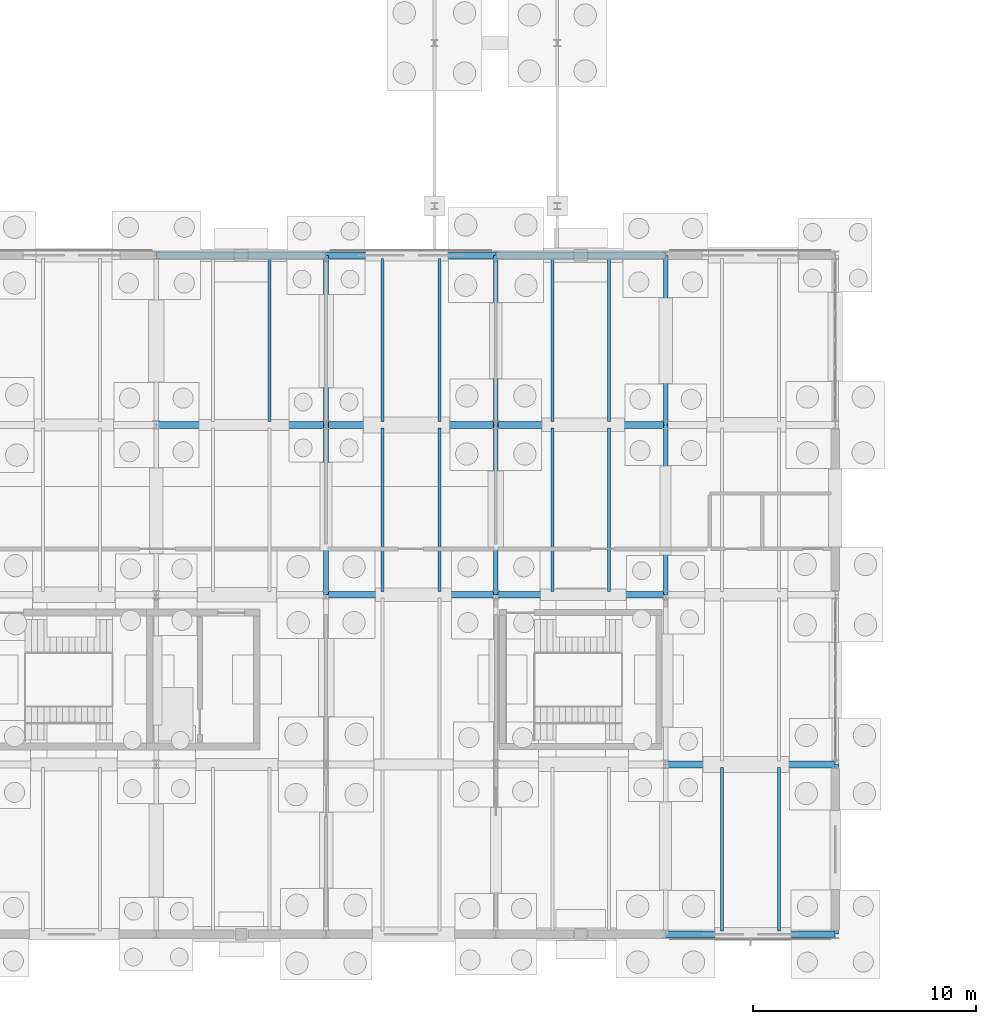
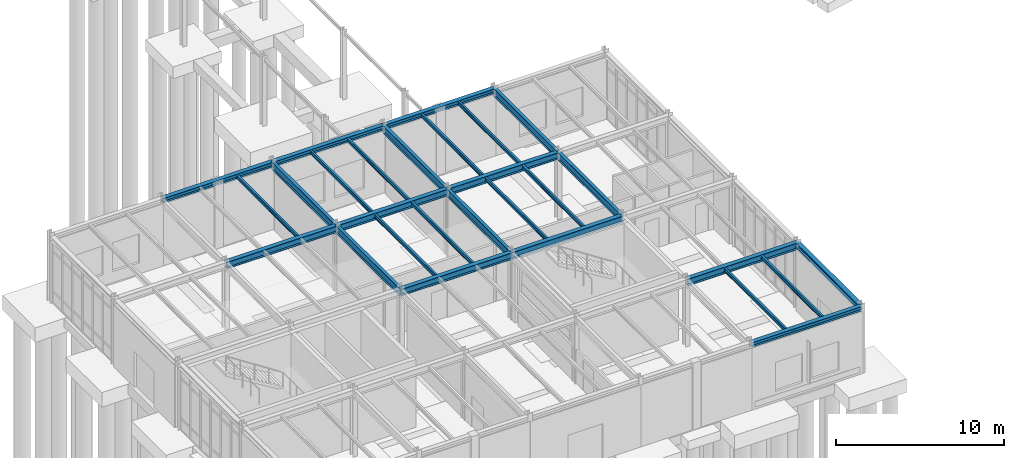
# One storey, part 33 of 109: 28 beams.
"""IFC4 building model written with IfcOpenShell, lengths in metres."""

from ifc_helpers import new_model, si_unit, direction, frame, origin, origin_2d, place, context, subcontext, project, spatial, i_section, extrude, material, material_profile, profile_set, type_object, element, save


model = new_model("IFC4")

# Units and contexts
model_context = context("Model", 3, precision=1e-05, world=origin(), true_north=direction((0.0, 1.0)))
body_context = subcontext(model_context, "Body", "Model", "MODEL_VIEW")
ifc_project = project(units=[si_unit("LENGTHUNIT", "METRE"), si_unit("AREAUNIT", "SQUARE_METRE"), si_unit("VOLUMEUNIT", "CUBIC_METRE"), si_unit("PLANEANGLEUNIT", "RADIAN"), si_unit("MASSUNIT", "GRAM", prefix="KILO")], contexts=[model_context])

# Site, building, storey
site_placement = place(None, origin())
site = spatial("IfcSite", under=ifc_project, at=site_placement, CompositionType="ELEMENT")
building_placement = place(site_placement, origin())
building = spatial("IfcBuilding", under=site, at=building_placement, Name="Montecoro Central Library", CompositionType="ELEMENT")
storey_placement = place(building_placement, origin())
storey = spatial("IfcBuildingStorey", under=building, at=storey_placement, Name="L00", CompositionType="ELEMENT", Elevation=0.0)

# Beams
ifc_material_1 = material(Name="Steel S355J2", Category="steel")
ifc_material_profile_1 = material_profile(ifc_material_1, i_section(OverallWidth=0.300048828125, OverallDepth=0.489990234375, WebThickness=0.011962890625, FlangeThickness=0.02294921875, at=origin_2d()), Name="HEA 500")
ifc_profile_set_1 = profile_set([ifc_material_profile_1], Name="Steel S355J2")
beam_type_1 = type_object("IfcBeamType", Name="BM-G-HEA500", PredefinedType="USERDEFINED", material=ifc_profile_set_1)
beam_1_placement = place(storey_placement, frame((35.405029296875, 12.60009765625, 4.60009765625), z_axis=(1.0, 0.0, 0.0), x_axis=(0.0, 1.0, 0.0)))
element("IfcBeam", 1, at=beam_1_placement, inside=storey, type_object=beam_type_1, Name="V3-L00-BX-56-B", ObjectType="GIRDER", PredefinedType="USERDEFINED", context=body_context, shape_type="SweptSolid", body=[
    extrude(i_section(OverallWidth=0.300048828125, OverallDepth=0.489990234375, WebThickness=0.011962890625, FlangeThickness=0.02294921875, at=origin_2d()), origin(), (0.0, 0.0, 1.0), 7.590087890625),
])
beam_2_placement = place(storey_placement, frame((20.205078125, 20.199951171875, 4.60009765625), z_axis=(1.0, 0.0, 0.0), x_axis=(0.0, 1.0, 0.0)))
element("IfcBeam", 2, at=beam_2_placement, inside=storey, type_object=beam_type_1, Name="V3-L00-BX-34-C", ObjectType="GIRDER", PredefinedType="USERDEFINED", context=body_context, shape_type="SweptSolid", body=[
    extrude(i_section(OverallWidth=0.300048828125, OverallDepth=0.489990234375, WebThickness=0.011962890625, FlangeThickness=0.02294921875, at=origin_2d()), origin(), (0.0, 0.0, 1.0), 7.58984375),
])
for number, where, z_axis, x_axis, name in (
    (3, (27.804931640625, 20.199951171875, 4.60009765625), (1.0, 0.0, 0.0), (0.0, 1.0, 0.0), "V3-L00-BX-45-C"),
    (4, (12.60498046875, 27.800048828125, 4.60009765625), (1.0, 0.0, 0.0), (0.0, 1.0, 0.0), "V3-L00-BX-23-D"),
):
    element("IfcBeam", number, at=place(storey_placement, frame(where, z_axis=z_axis, x_axis=x_axis)), inside=storey, type_object=beam_type_1, Name=name, ObjectType="GIRDER", PredefinedType="USERDEFINED", context=body_context, shape_type="SweptSolid", body=[
        extrude(i_section(OverallWidth=0.300048828125, OverallDepth=0.489990234375, WebThickness=0.011962890625, FlangeThickness=0.02294921875, at=origin_2d()), origin(), (0.0, 0.0, 1.0), 7.590087890625),
    ])
beam_3_placement = place(storey_placement, frame((20.205078125, 27.800048828125, 4.60009765625), z_axis=(1.0, 0.0, 0.0), x_axis=(0.0, 1.0, 0.0)))
element("IfcBeam", 5, at=beam_3_placement, inside=storey, type_object=beam_type_1, Name="V3-L00-BX-34-D", ObjectType="GIRDER", PredefinedType="USERDEFINED", context=body_context, shape_type="SweptSolid", body=[
    extrude(i_section(OverallWidth=0.300048828125, OverallDepth=0.489990234375, WebThickness=0.011962890625, FlangeThickness=0.02294921875, at=origin_2d()), origin(), (0.0, 0.0, 1.0), 7.58984375),
])
beam_4_placement = place(storey_placement, frame((27.804931640625, 27.800048828125, 4.60009765625), z_axis=(1.0, 0.0, 0.0), x_axis=(0.0, 1.0, 0.0)))
element("IfcBeam", 6, at=beam_4_placement, inside=storey, type_object=beam_type_1, Name="V3-L00-BX-45-D", ObjectType="GIRDER", PredefinedType="USERDEFINED", context=body_context, shape_type="SweptSolid", body=[
    extrude(i_section(OverallWidth=0.300048828125, OverallDepth=0.489990234375, WebThickness=0.011962890625, FlangeThickness=0.02294921875, at=origin_2d()), origin(), (0.0, 0.0, 1.0), 7.590087890625),
])
ifc_material_profile_2 = material_profile(ifc_material_1, i_section(OverallWidth=0.2099609375, OverallDepth=0.550048828125, WebThickness=0.010986328125, FlangeThickness=0.01708984375, at=origin_2d()), Name="IPE 550")
ifc_profile_set_2 = profile_set([ifc_material_profile_2], Name="Steel S355J2")
beam_type_2 = type_object("IfcBeamType", Name="BM-G-IPE550", PredefinedType="USERDEFINED", material=ifc_profile_set_2)
beam_5_placement = place(storey_placement, frame((20.199951171875, 20.205078125, 4.570068359375), z_axis=(0.0, 1.0, 0.0), x_axis=(-1.0, 0.0, 0.0)))
element("IfcBeam", 7, at=beam_5_placement, inside=storey, type_object=beam_type_2, Name="V3-L00-BY-3-CD", ObjectType="GIRDER", PredefinedType="USERDEFINED", context=body_context, shape_type="SweptSolid", body=[
    extrude(i_section(OverallWidth=0.2099609375, OverallDepth=0.550048828125, WebThickness=0.010986328125, FlangeThickness=0.01708984375, at=origin_2d()), origin(), (0.0, 0.0, 1.0), 7.58984375),
])
beam_6_placement = place(storey_placement, frame((20.199951171875, 27.804931640625, 4.570068359375), z_axis=(0.0, 1.0, 0.0), x_axis=(-1.0, 0.0, 0.0)))
element("IfcBeam", 8, at=beam_6_placement, inside=storey, type_object=beam_type_2, Name="V3-L00-BY-3-DE", ObjectType="GIRDER", PredefinedType="USERDEFINED", context=body_context, shape_type="SweptSolid", body=[
    extrude(i_section(OverallWidth=0.2099609375, OverallDepth=0.550048828125, WebThickness=0.010986328125, FlangeThickness=0.01708984375, at=origin_2d()), origin(), (0.0, 0.0, 1.0), 7.590087890625),
])
beam_7_placement = place(storey_placement, frame((27.800048828125, 20.205078125, 4.570068359375), z_axis=(0.0, 1.0, 0.0), x_axis=(-1.0, 0.0, 0.0)))
element("IfcBeam", 9, at=beam_7_placement, inside=storey, type_object=beam_type_2, Name="V3-L00-BY-4-CD", ObjectType="GIRDER", PredefinedType="USERDEFINED", context=body_context, shape_type="SweptSolid", body=[
    extrude(i_section(OverallWidth=0.2099609375, OverallDepth=0.550048828125, WebThickness=0.010986328125, FlangeThickness=0.01708984375, at=origin_2d()), origin(), (0.0, 0.0, 1.0), 7.58984375),
])
beam_8_placement = place(storey_placement, frame((27.800048828125, 27.804931640625, 4.570068359375), z_axis=(0.0, 1.0, 0.0), x_axis=(-1.0, 0.0, 0.0)))
element("IfcBeam", 10, at=beam_8_placement, inside=storey, type_object=beam_type_2, Name="V3-L00-BY-4-DE", ObjectType="GIRDER", PredefinedType="USERDEFINED", context=body_context, shape_type="SweptSolid", body=[
    extrude(i_section(OverallWidth=0.2099609375, OverallDepth=0.550048828125, WebThickness=0.010986328125, FlangeThickness=0.01708984375, at=origin_2d()), origin(), (0.0, 0.0, 1.0), 7.590087890625),
])
beam_9_placement = place(storey_placement, frame((35.39990234375, 20.205078125, 4.570068359375), z_axis=(0.0, 1.0, 0.0), x_axis=(-1.0, 0.0, 0.0)))
element("IfcBeam", 11, at=beam_9_placement, inside=storey, type_object=beam_type_2, Name="V3-L00-BY-5-CD", ObjectType="GIRDER", PredefinedType="USERDEFINED", context=body_context, shape_type="SweptSolid", body=[
    extrude(i_section(OverallWidth=0.2099609375, OverallDepth=0.550048828125, WebThickness=0.010986328125, FlangeThickness=0.01708984375, at=origin_2d()), origin(), (0.0, 0.0, 1.0), 7.58984375),
])
beam_10_placement = place(storey_placement, frame((35.39990234375, 27.804931640625, 4.570068359375), z_axis=(0.0, 1.0, 0.0), x_axis=(-1.0, 0.0, 0.0)))
element("IfcBeam", 12, at=beam_10_placement, inside=storey, type_object=beam_type_2, Name="V3-L00-BY-5-DE", ObjectType="GIRDER", PredefinedType="USERDEFINED", context=body_context, shape_type="SweptSolid", body=[
    extrude(i_section(OverallWidth=0.2099609375, OverallDepth=0.550048828125, WebThickness=0.010986328125, FlangeThickness=0.01708984375, at=origin_2d()), origin(), (0.0, 0.0, 1.0), 7.590087890625),
])
ifc_material_2 = material(Name="Steel S355", Category="steel")
ifc_material_profile_3 = material_profile(ifc_material_2, i_section(OverallWidth=0.135009765625, OverallDepth=0.27001953125, WebThickness=0.006591796875, FlangeThickness=0.01025390625, at=origin_2d()), Name="IPE 270")
ifc_profile_set_3 = profile_set([ifc_material_profile_3], Name="Steel S355")
beam_type_3 = type_object("IfcBeamType", Name="BM-J-IPE270", PredefinedType="JOIST", material=ifc_profile_set_3)
beam_11_placement = place(storey_placement, frame((17.6669921875, 27.947021484375, 4.7099609375), z_axis=(0.0, 1.0, 0.0), x_axis=(-1.0, 0.0, 0.0)))
element("IfcBeam", 13, at=beam_11_placement, inside=storey, type_object=beam_type_3, Name="V3-L00-JS-23-DE-2", PredefinedType="JOIST", context=body_context, shape_type="SweptSolid", body=[
    extrude(i_section(OverallWidth=0.135009765625, OverallDepth=0.27001953125, WebThickness=0.006591796875, FlangeThickness=0.01025390625, at=origin_2d()), origin(), (0.0, 0.0, 1.0), 7.305908203125),
])
for number, where, z_axis, x_axis, name in (
    (14, (22.73291015625, 20.346923828125, 4.7099609375), (0.0, 1.0, 0.0), (-1.0, 0.0, 0.0), "V3-L00-JS-34-CD-1"),
    (15, (25.26708984375, 20.346923828125, 4.7099609375), (0.0, 1.0, 0.0), (-1.0, 0.0, 0.0), "V3-L00-JS-34-CD-2"),
):
    element("IfcBeam", number, at=place(storey_placement, frame(where, z_axis=z_axis, x_axis=x_axis)), inside=storey, type_object=beam_type_3, Name=name, PredefinedType="JOIST", context=body_context, shape_type="SweptSolid", body=[
        extrude(i_section(OverallWidth=0.135009765625, OverallDepth=0.27001953125, WebThickness=0.006591796875, FlangeThickness=0.01025390625, at=origin_2d()), origin(), (0.0, 0.0, 1.0), 7.30615234375),
    ])
for number, where, z_axis, x_axis, name in (
    (16, (22.73291015625, 27.947021484375, 4.7099609375), (0.0, 1.0, 0.0), (-1.0, 0.0, 0.0), "V3-L00-JS-34-DE-1"),
    (17, (25.26708984375, 27.947021484375, 4.7099609375), (0.0, 1.0, 0.0), (-1.0, 0.0, 0.0), "V3-L00-JS-34-DE-2"),
):
    element("IfcBeam", number, at=place(storey_placement, frame(where, z_axis=z_axis, x_axis=x_axis)), inside=storey, type_object=beam_type_3, Name=name, PredefinedType="JOIST", context=body_context, shape_type="SweptSolid", body=[
        extrude(i_section(OverallWidth=0.135009765625, OverallDepth=0.27001953125, WebThickness=0.006591796875, FlangeThickness=0.01025390625, at=origin_2d()), origin(), (0.0, 0.0, 1.0), 7.305908203125),
    ])
for number, where, z_axis, x_axis, name in (
    (18, (30.3330078125, 20.346923828125, 4.7099609375), (0.0, 1.0, 0.0), (-1.0, 0.0, 0.0), "V3-L00-JS-45-CD-1"),
    (19, (32.866943359375, 20.346923828125, 4.7099609375), (0.0, 1.0, 0.0), (-1.0, 0.0, 0.0), "V3-L00-JS-45-CD-2"),
):
    element("IfcBeam", number, at=place(storey_placement, frame(where, z_axis=z_axis, x_axis=x_axis)), inside=storey, type_object=beam_type_3, Name=name, PredefinedType="JOIST", context=body_context, shape_type="SweptSolid", body=[
        extrude(i_section(OverallWidth=0.135009765625, OverallDepth=0.27001953125, WebThickness=0.006591796875, FlangeThickness=0.01025390625, at=origin_2d()), origin(), (0.0, 0.0, 1.0), 7.30615234375),
    ])
for number, where, z_axis, x_axis, name in (
    (20, (30.3330078125, 27.947021484375, 4.7099609375), (0.0, 1.0, 0.0), (-1.0, 0.0, 0.0), "V3-L00-JS-45-DE-1"),
    (21, (32.866943359375, 27.947021484375, 4.7099609375), (0.0, 1.0, 0.0), (-1.0, 0.0, 0.0), "V3-L00-JS-45-DE-2"),
    (22, (37.93310546875, 5.14697265625, 4.7099609375), (0.0, 1.0, 0.0), (-1.0, 0.0, 0.0), "V3-L00-JS-56-AB-1"),
    (23, (40.467041015625, 5.14697265625, 4.7099609375), (0.0, 1.0, 0.0), (-1.0, 0.0, 0.0), "V3-L00-JS-56-AB-2"),
):
    element("IfcBeam", number, at=place(storey_placement, frame(where, z_axis=z_axis, x_axis=x_axis)), inside=storey, type_object=beam_type_3, Name=name, PredefinedType="JOIST", context=body_context, shape_type="SweptSolid", body=[
        extrude(i_section(OverallWidth=0.135009765625, OverallDepth=0.27001953125, WebThickness=0.006591796875, FlangeThickness=0.01025390625, at=origin_2d()), origin(), (0.0, 0.0, 1.0), 7.305908203125),
    ])
ifc_material_profile_4 = material_profile(ifc_material_2, i_section(OverallWidth=0.300048828125, OverallDepth=0.330078125, WebThickness=0.009521484375, FlangeThickness=0.0166015625, at=origin_2d()), Name="HEA 340")
ifc_profile_set_4 = profile_set([ifc_material_profile_4], Name="Steel S355")
beam_type_4 = type_object("IfcBeamType", Name="BM-SP-HEA340", PredefinedType="SPANDREL", material=ifc_profile_set_4)
for number, where, z_axis, x_axis, name in (
    (24, (35.405029296875, 5.0, 4.679931640625), (1.0, 0.0, 0.0), (0.0, 1.0, 0.0), "V3-L00-BX-56-A"),
    (25, (12.60498046875, 35.39990234375, 4.679931640625), (1.0, 0.0, 0.0), (0.0, 1.0, 0.0), "V3-L00-BX-23-E"),
):
    element("IfcBeam", number, at=place(storey_placement, frame(where, z_axis=z_axis, x_axis=x_axis)), inside=storey, type_object=beam_type_4, Name=name, PredefinedType="SPANDREL", context=body_context, shape_type="SweptSolid", body=[
        extrude(i_section(OverallWidth=0.300048828125, OverallDepth=0.330078125, WebThickness=0.009521484375, FlangeThickness=0.0166015625, at=origin_2d()), origin(), (0.0, 0.0, 1.0), 7.590087890625),
    ])
beam_12_placement = place(storey_placement, frame((20.205078125, 35.39990234375, 4.679931640625), z_axis=(1.0, 0.0, 0.0), x_axis=(0.0, 1.0, 0.0)))
element("IfcBeam", 26, at=beam_12_placement, inside=storey, type_object=beam_type_4, Name="V3-L00-BX-34-E", PredefinedType="SPANDREL", context=body_context, shape_type="SweptSolid", body=[
    extrude(i_section(OverallWidth=0.300048828125, OverallDepth=0.330078125, WebThickness=0.009521484375, FlangeThickness=0.0166015625, at=origin_2d()), origin(), (0.0, 0.0, 1.0), 7.58984375),
])
for number, where, z_axis, x_axis, name in (
    (27, (27.804931640625, 35.39990234375, 4.679931640625), (1.0, 0.0, 0.0), (0.0, 1.0, 0.0), "V3-L00-BX-45-E"),
    (28, (43.0, 5.0048828125, 4.679931640625), (0.0, 1.0, 0.0), (-1.0, 0.0, 0.0), "V3-L00-BY-6-AB"),
):
    element("IfcBeam", number, at=place(storey_placement, frame(where, z_axis=z_axis, x_axis=x_axis)), inside=storey, type_object=beam_type_4, Name=name, PredefinedType="SPANDREL", context=body_context, shape_type="SweptSolid", body=[
        extrude(i_section(OverallWidth=0.300048828125, OverallDepth=0.330078125, WebThickness=0.009521484375, FlangeThickness=0.0166015625, at=origin_2d()), origin(), (0.0, 0.0, 1.0), 7.590087890625),
    ])

save(model, "model.ifc")
